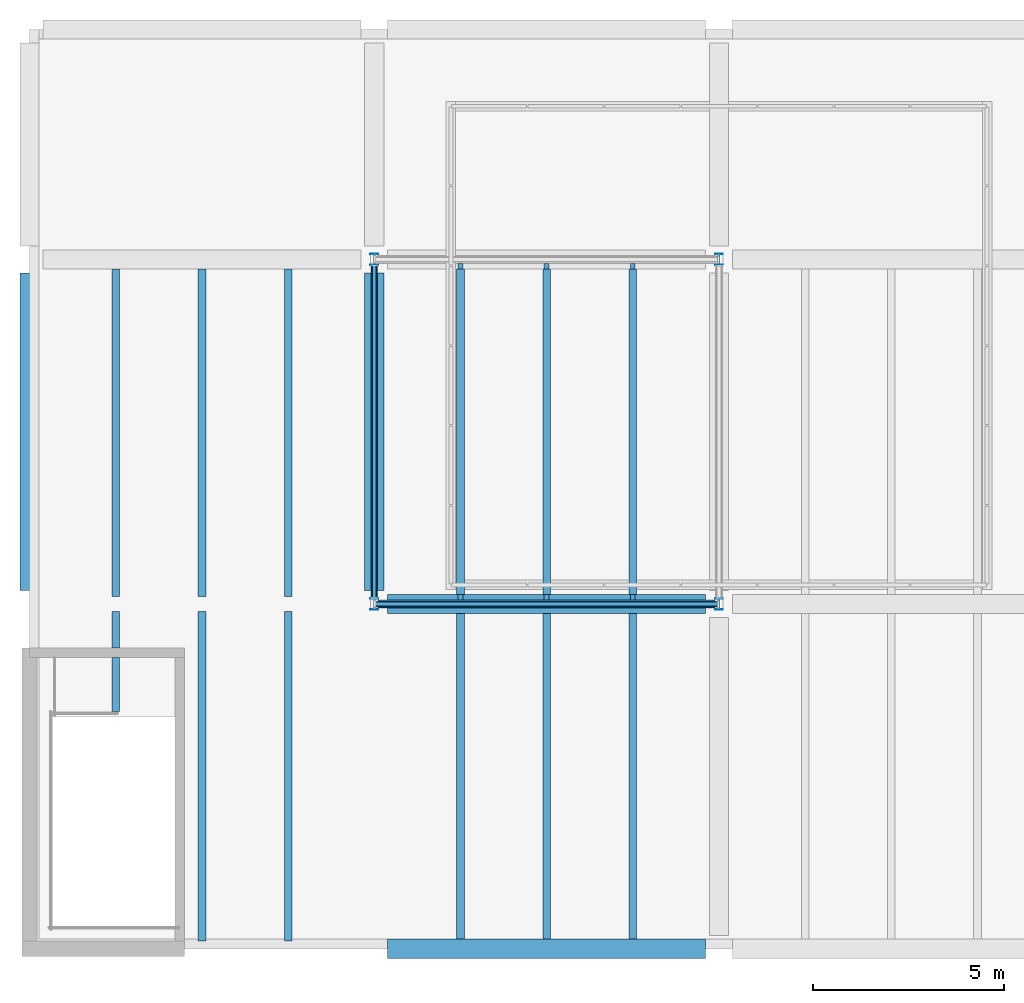
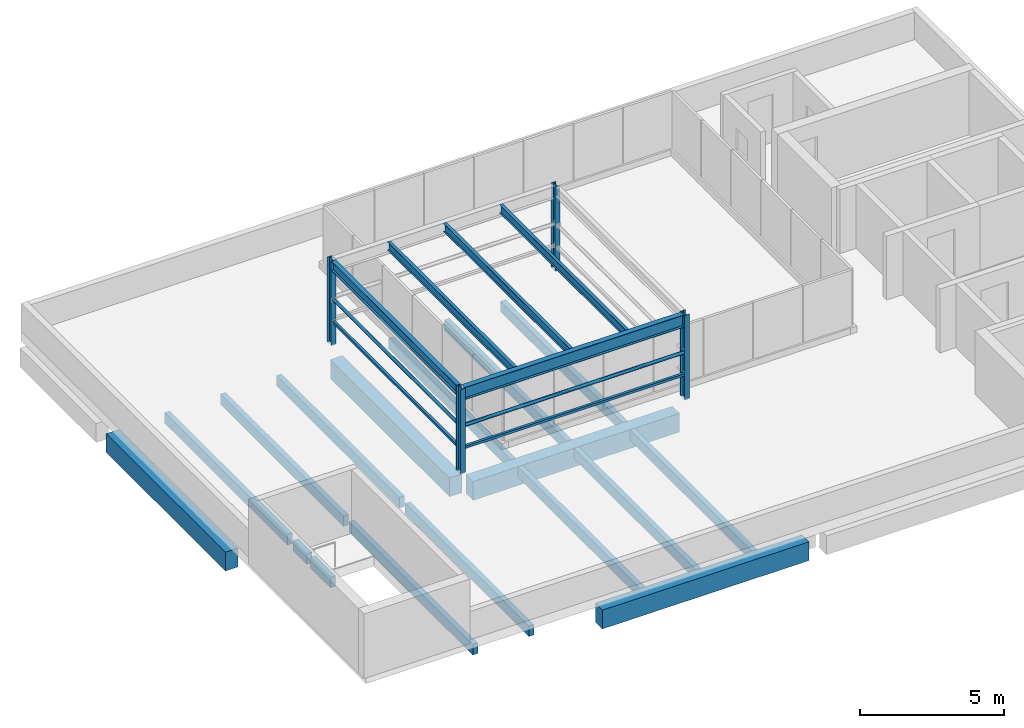
# One storey, part 1 of 5: 22 beams, 4 columns, 4 members.
"""IFC4 building model written with IfcOpenShell, lengths in metres."""

from ifc_helpers import new_model, si_unit, direction, frame, origin, origin_2d, place, context, subcontext, project, spatial, rectangle, hollow_rectangle, hollow_circle, i_section, extrude, material, material_profile, profile_set, type_object, element, save


model = new_model("IFC4")

# Units and contexts
model_context = context("Model", 3, precision=1e-05, world=origin(), true_north=direction((0.0, 1.0)))
body_context = subcontext(model_context, "Body", "Model", "MODEL_VIEW")
ifc_project = project(units=[si_unit("LENGTHUNIT", "METRE"), si_unit("AREAUNIT", "SQUARE_METRE"), si_unit("VOLUMEUNIT", "CUBIC_METRE"), si_unit("PLANEANGLEUNIT", "RADIAN"), si_unit("MASSUNIT", "GRAM", prefix="KILO")], contexts=[model_context])

# Site, building, storey
site_placement = place(None, origin())
site = spatial("IfcSite", under=ifc_project, at=site_placement, CompositionType="ELEMENT")
building_placement = place(site_placement, origin())
building = spatial("IfcBuilding", under=site, at=building_placement, Name="Merrow Basin Faculty of Sciences", CompositionType="ELEMENT")
storey_placement = place(building_placement, frame((0.0, 0.0, 40.5)))
storey = spatial("IfcBuildingStorey", under=building, at=storey_placement, Name="Roof", CompositionType="ELEMENT", Elevation=40.5)

# Columns
ifc_material_1 = material(Name="Steel ASTM A992", Category="steel")
ifc_material_profile_1 = material_profile(ifc_material_1, i_section(OverallWidth=0.202880859375, OverallDepth=0.302001953125, WebThickness=0.007568359375, FlangeThickness=0.01318359375, at=origin_2d()))
ifc_profile_set_1 = profile_set([ifc_material_profile_1], Name="Steel ASTM A992")
column_type = type_object("IfcColumnType", Name="Plant frame column W310x60", PredefinedType="COLUMN", material=ifc_profile_set_1)
for number, where, z_axis, x_axis, name in (
    (1, (27.0, 151.0, 0.0), (0.0, 0.0, 1.0), (1.0, 0.0, 0.0), "Plant frame column Roof"),
    (2, (27.0, 160.0, 0.0), (0.0, 0.0, 1.0), (1.0, 0.0, 0.0), "Plant frame column Roof"),
    (3, (36.0, 151.0, 0.0), (0.0, 0.0, 1.0), (1.0, 0.0, 0.0), "Plant frame column Roof"),
    (4, (36.0, 160.0, 0.0), (0.0, 0.0, 1.0), (1.0, 0.0, 0.0), "Plant frame column Roof"),
):
    element("IfcColumn", number, at=place(storey_placement, frame(where, z_axis=z_axis, x_axis=x_axis)), inside=storey, type_object=column_type, Name=name, PredefinedType="COLUMN", context=body_context, shape_type="SweptSolid", body=[
        extrude(i_section(OverallWidth=0.202880859375, OverallDepth=0.302001953125, WebThickness=0.007568359375, FlangeThickness=0.01318359375, at=origin_2d()), origin(), (0.0, 0.0, 1.0), 3.60009765625),
    ])

# Beams
ifc_material_2 = material(Name="Concrete C40/50", Category="concrete")
ifc_material_profile_2 = material_profile(ifc_material_2, rectangle(XDim=0.5, YDim=0.800048828125, at=origin_2d()))
ifc_profile_set_2 = profile_set([ifc_material_profile_2], Name="Concrete C40/50")
beam_type_1 = type_object("IfcBeamType", Name="Beam RC500x800 C40/50", PredefinedType="BEAM", material=ifc_profile_set_2)
for number, where, z_axis, x_axis, name in (
    (5, (27.35009765625, 142.0, -0.800048828125), (1.0, 0.0, 0.0), (0.0, 1.0, 0.0), "B4 Roof 001"),
    (6, (27.35009765625, 151.0, -0.800048828125), (1.0, 0.0, 0.0), (0.0, 1.0, 0.0), "B4 Roof 003"),
    (7, (18.0, 151.35009765625, -0.800048828125), (0.0, 1.0, 0.0), (-1.0, 0.0, 0.0), "B4 Roof 013"),
    (8, (27.0, 151.35009765625, -0.800048828125), (0.0, 1.0, 0.0), (-1.0, 0.0, 0.0), "B4 Roof 015"),
):
    element("IfcBeam", number, at=place(storey_placement, frame(where, z_axis=z_axis, x_axis=x_axis)), inside=storey, type_object=beam_type_1, Name=name, PredefinedType="BEAM", context=body_context, shape_type="SweptSolid", body=[
        extrude(rectangle(XDim=0.5, YDim=0.800048828125, at=origin_2d()), origin(), (0.0, 0.0, 1.0), 8.2998046875),
    ])

# Members
ifc_material_3 = material(Name="Steel ASTM A500 Gr C", Category="steel")
ifc_material_profile_3 = material_profile(ifc_material_3, hollow_circle(Radius=0.070556640625, WallThickness=0.006591796875, at=origin_2d()))
ifc_profile_set_3 = profile_set([ifc_material_profile_3], Name="Steel ASTM A500 Gr C")
member_type_1 = type_object("IfcMemberType", Name="Plant frame brace CHS141x6.6", PredefinedType="BRACE", material=ifc_profile_set_3)
member_1_placement = place(storey_placement, frame((27.02001953125, 151.0, 1.928955078125), z_axis=(1.0, 0.0, 0.0), x_axis=(0.0, 1.0, 0.0)))
element("IfcMember", 9, at=member_1_placement, inside=storey, type_object=member_type_1, Name="PB1 Roof 001", PredefinedType="BRACE", context=body_context, shape_type="SweptSolid", body=[
    extrude(hollow_circle(Radius=0.070556640625, WallThickness=0.006591796875, at=origin_2d()), origin(), (0.0, 0.0, 1.0), 8.9599609375),
])
ifc_material_4 = material(Name="Steel ASTM A500 Gr C", Category="steel")
ifc_material_profile_4 = material_profile(ifc_material_4, hollow_rectangle(XDim=0.10205078125, YDim=0.10205078125, WallThickness=0.00634765625, at=origin_2d()))
ifc_profile_set_4 = profile_set([ifc_material_profile_4], Name="Steel ASTM A500 Gr C")
member_type_2 = type_object("IfcMemberType", Name="Plant frame cladding rail HSS102x102x6.4", PredefinedType="MEMBER", material=ifc_profile_set_4)
member_2_placement = place(storey_placement, frame((27.02001953125, 151.0, 1.0), z_axis=(1.0, 0.0, 0.0), x_axis=(0.0, 1.0, 0.0)))
element("IfcMember", 10, at=member_2_placement, inside=storey, type_object=member_type_2, Name="PR1 Roof 005", PredefinedType="MEMBER", context=body_context, shape_type="SweptSolid", body=[
    extrude(hollow_rectangle(XDim=0.10205078125, YDim=0.10205078125, WallThickness=0.00634765625, at=origin_2d()), origin(), (0.0, 0.0, 1.0), 8.9599609375),
])
member_3_placement = place(storey_placement, frame((27.0, 151.1669921875, 1.0), z_axis=(0.0, 1.0, 0.0), x_axis=(-1.0, 0.0, 0.0)))
element("IfcMember", 11, at=member_3_placement, inside=storey, type_object=member_type_2, Name="PR1 Roof 007", PredefinedType="MEMBER", context=body_context, shape_type="SweptSolid", body=[
    extrude(hollow_rectangle(XDim=0.10205078125, YDim=0.10205078125, WallThickness=0.00634765625, at=origin_2d()), origin(), (0.0, 0.0, 1.0), 8.666015625),
])
ifc_material_5 = material(Name="Steel ASTM A500 Gr C", Category="steel")
ifc_material_profile_5 = material_profile(ifc_material_5, hollow_circle(Radius=0.0634765625, WallThickness=0.00634765625, at=origin_2d()))
ifc_profile_set_5 = profile_set([ifc_material_profile_5], Name="Steel ASTM A500 Gr C")
member_type_3 = type_object("IfcMemberType", Name="Plant frame end brace CHS127x6.4", PredefinedType="BRACE", material=ifc_profile_set_5)
member_4_placement = place(storey_placement, frame((27.0, 151.1669921875, 1.93701171875), z_axis=(0.0, 1.0, 0.0), x_axis=(-1.0, 0.0, 0.0)))
element("IfcMember", 12, at=member_4_placement, inside=storey, type_object=member_type_3, Name="PE1 Roof 003", PredefinedType="BRACE", context=body_context, shape_type="SweptSolid", body=[
    extrude(hollow_circle(Radius=0.0634765625, WallThickness=0.00634765625, at=origin_2d()), origin(), (0.0, 0.0, 1.0), 8.666015625),
])

# Beams
ifc_material_6 = material(Name="Steel ASTM A992", Category="steel")
ifc_material_profile_6 = material_profile(ifc_material_6, i_section(OverallWidth=0.208984375, OverallDepth=0.532958984375, WebThickness=0.01025390625, FlangeThickness=0.015625, at=origin_2d()))
ifc_profile_set_6 = profile_set([ifc_material_profile_6], Name="Steel ASTM A992")
beam_type_2 = type_object("IfcBeamType", Name="Plant frame girder W530x92", PredefinedType="BEAM", material=ifc_profile_set_6)
beam_1_placement = place(storey_placement, frame((27.10205078125, 151.0, 3.333984375), z_axis=(1.0, 0.0, 0.0), x_axis=(0.0, 1.0, 0.0)))
element("IfcBeam", 13, at=beam_1_placement, inside=storey, type_object=beam_type_2, Name="PG1 Roof 022", PredefinedType="BEAM", context=body_context, shape_type="SweptSolid", body=[
    extrude(i_section(OverallWidth=0.208984375, OverallDepth=0.532958984375, WebThickness=0.01025390625, FlangeThickness=0.015625, at=origin_2d()), origin(), (0.0, 0.0, 1.0), 8.7958984375),
])
ifc_material_7 = material(Name="Steel ASTM A992", Category="steel")
ifc_material_profile_7 = material_profile(ifc_material_7, i_section(OverallWidth=0.1279296875, OverallDepth=0.35302734375, WebThickness=0.006591796875, FlangeThickness=0.0107421875, at=origin_2d()))
ifc_profile_set_7 = profile_set([ifc_material_profile_7], Name="Steel ASTM A992")
beam_type_3 = type_object("IfcBeamType", Name="Plant frame joist W360x39", PredefinedType="BEAM", material=ifc_profile_set_7)
for number, where, z_axis, x_axis, name in (
    (14, (29.25, 151.10498046875, 3.424072265625), (0.0, 1.0, 0.0), (-1.0, 0.0, 0.0), "PJ1 Roof 026"),
    (15, (31.5, 151.10498046875, 3.424072265625), (0.0, 1.0, 0.0), (-1.0, 0.0, 0.0), "PJ1 Roof 027"),
    (16, (33.75, 151.10498046875, 3.424072265625), (0.0, 1.0, 0.0), (-1.0, 0.0, 0.0), "PJ1 Roof 028"),
):
    element("IfcBeam", number, at=place(storey_placement, frame(where, z_axis=z_axis, x_axis=x_axis)), inside=storey, type_object=beam_type_3, Name=name, PredefinedType="BEAM", context=body_context, shape_type="SweptSolid", body=[
        extrude(i_section(OverallWidth=0.1279296875, OverallDepth=0.35302734375, WebThickness=0.006591796875, FlangeThickness=0.0107421875, at=origin_2d()), origin(), (0.0, 0.0, 1.0), 8.7900390625),
    ])
ifc_material_8 = material(Name="Steel ASTM A992", Category="steel")
ifc_material_profile_8 = material_profile(ifc_material_8, i_section(OverallWidth=0.177978515625, OverallDepth=0.406982421875, WebThickness=0.0078125, FlangeThickness=0.0126953125, at=origin_2d()))
ifc_profile_set_8 = profile_set([ifc_material_profile_8], Name="Steel ASTM A992")
beam_type_4 = type_object("IfcBeamType", Name="Plant frame tie beam W410x60", PredefinedType="BEAM", material=ifc_profile_set_8)
beam_2_placement = place(storey_placement, frame((27.0, 151.15087890625, 3.39697265625), z_axis=(0.0, 1.0, 0.0), x_axis=(-1.0, 0.0, 0.0)))
element("IfcBeam", 17, at=beam_2_placement, inside=storey, type_object=beam_type_4, Name="PT1 Roof 024", PredefinedType="BEAM", context=body_context, shape_type="SweptSolid", body=[
    extrude(i_section(OverallWidth=0.177978515625, OverallDepth=0.406982421875, WebThickness=0.0078125, FlangeThickness=0.0126953125, at=origin_2d()), origin(), (0.0, 0.0, 1.0), 8.6982421875),
])
ifc_material_9 = material(Name="Concrete C40/50", Category="concrete")
ifc_material_profile_9 = material_profile(ifc_material_9, rectangle(XDim=0.199951171875, YDim=0.449951171875, at=origin_2d()))
ifc_profile_set_9 = profile_set([ifc_material_profile_9], Name="Concrete C40/50")
beam_type_5 = type_object("IfcBeamType", Name="Tower roof joist RC200x450 C40/50", PredefinedType="BEAM", material=ifc_profile_set_9)
beam_3_placement = place(storey_placement, frame((20.25, 148.199951171875, -0.625), z_axis=(0.0, 1.0, 0.0), x_axis=(-1.0, 0.0, 0.0)))
element("IfcBeam", 18, at=beam_3_placement, inside=storey, type_object=beam_type_5, Name="JU1 Roof 029", PredefinedType="BEAM", context=body_context, shape_type="SweptSolid", body=[
    extrude(rectangle(XDim=0.199951171875, YDim=0.449951171875, at=origin_2d()), origin(), (0.0, 0.0, 1.0), 1.400146484375),
])
beam_4_placement = place(storey_placement, frame((20.25, 149.85009765625, -0.625), z_axis=(0.0, 1.0, 0.0), x_axis=(-1.0, 0.0, 0.0)))
element("IfcBeam", 19, at=beam_4_placement, inside=storey, type_object=beam_type_5, Name="JU1 Roof 030", PredefinedType="BEAM", context=body_context, shape_type="SweptSolid", body=[
    extrude(rectangle(XDim=0.199951171875, YDim=0.449951171875, at=origin_2d()), origin(), (0.0, 0.0, 1.0), 0.949951171875),
])
for number, where, z_axis, x_axis, name in (
    (20, (22.5, 142.199951171875, -0.625), (0.0, 1.0, 0.0), (-1.0, 0.0, 0.0), "JU1 Roof 031"),
    (21, (24.75, 142.199951171875, -0.625), (0.0, 1.0, 0.0), (-1.0, 0.0, 0.0), "JU1 Roof 032"),
):
    element("IfcBeam", number, at=place(storey_placement, frame(where, z_axis=z_axis, x_axis=x_axis)), inside=storey, type_object=beam_type_5, Name=name, PredefinedType="BEAM", context=body_context, shape_type="SweptSolid", body=[
        extrude(rectangle(XDim=0.199951171875, YDim=0.449951171875, at=origin_2d()), origin(), (0.0, 0.0, 1.0), 8.60009765625),
    ])
for number, where, z_axis, x_axis, name in (
    (22, (20.25, 151.199951171875, -0.625), (0.0, 1.0, 0.0), (-1.0, 0.0, 0.0), "JU1 Roof 033"),
    (23, (22.5, 151.199951171875, -0.625), (0.0, 1.0, 0.0), (-1.0, 0.0, 0.0), "JU1 Roof 034"),
    (24, (24.75, 151.199951171875, -0.625), (0.0, 1.0, 0.0), (-1.0, 0.0, 0.0), "JU1 Roof 035"),
):
    element("IfcBeam", number, at=place(storey_placement, frame(where, z_axis=z_axis, x_axis=x_axis)), inside=storey, type_object=beam_type_5, Name=name, PredefinedType="BEAM", context=body_context, shape_type="SweptSolid", body=[
        extrude(rectangle(XDim=0.199951171875, YDim=0.449951171875, at=origin_2d()), origin(), (0.0, 0.0, 1.0), 8.550048828125),
    ])
for number, where, z_axis, x_axis, name in (
    (25, (29.25, 142.25, -0.625), (0.0, 1.0, 0.0), (-1.0, 0.0, 0.0), "JU1 Roof 036"),
    (26, (31.5, 142.25, -0.625), (0.0, 1.0, 0.0), (-1.0, 0.0, 0.0), "JU1 Roof 037"),
    (27, (33.75, 142.25, -0.625), (0.0, 1.0, 0.0), (-1.0, 0.0, 0.0), "JU1 Roof 038"),
    (28, (29.25, 151.25, -0.625), (0.0, 1.0, 0.0), (-1.0, 0.0, 0.0), "JU1 Roof 039"),
    (29, (31.5, 151.25, -0.625), (0.0, 1.0, 0.0), (-1.0, 0.0, 0.0), "JU1 Roof 040"),
    (30, (33.75, 151.25, -0.625), (0.0, 1.0, 0.0), (-1.0, 0.0, 0.0), "JU1 Roof 041"),
):
    element("IfcBeam", number, at=place(storey_placement, frame(where, z_axis=z_axis, x_axis=x_axis)), inside=storey, type_object=beam_type_5, Name=name, PredefinedType="BEAM", context=body_context, shape_type="SweptSolid", body=[
        extrude(rectangle(XDim=0.199951171875, YDim=0.449951171875, at=origin_2d()), origin(), (0.0, 0.0, 1.0), 8.5),
    ])

save(model, "model.ifc")
